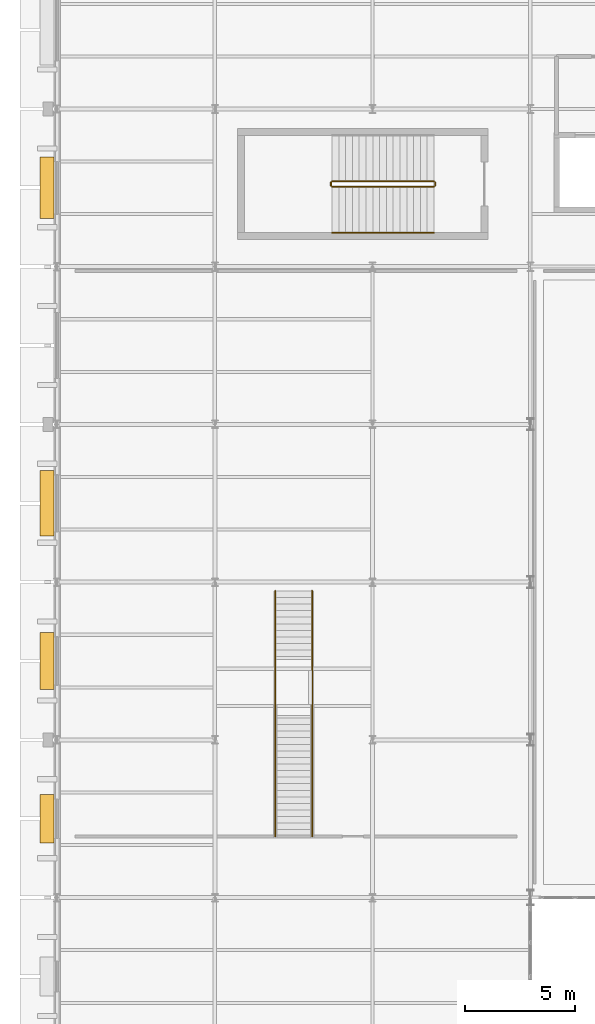
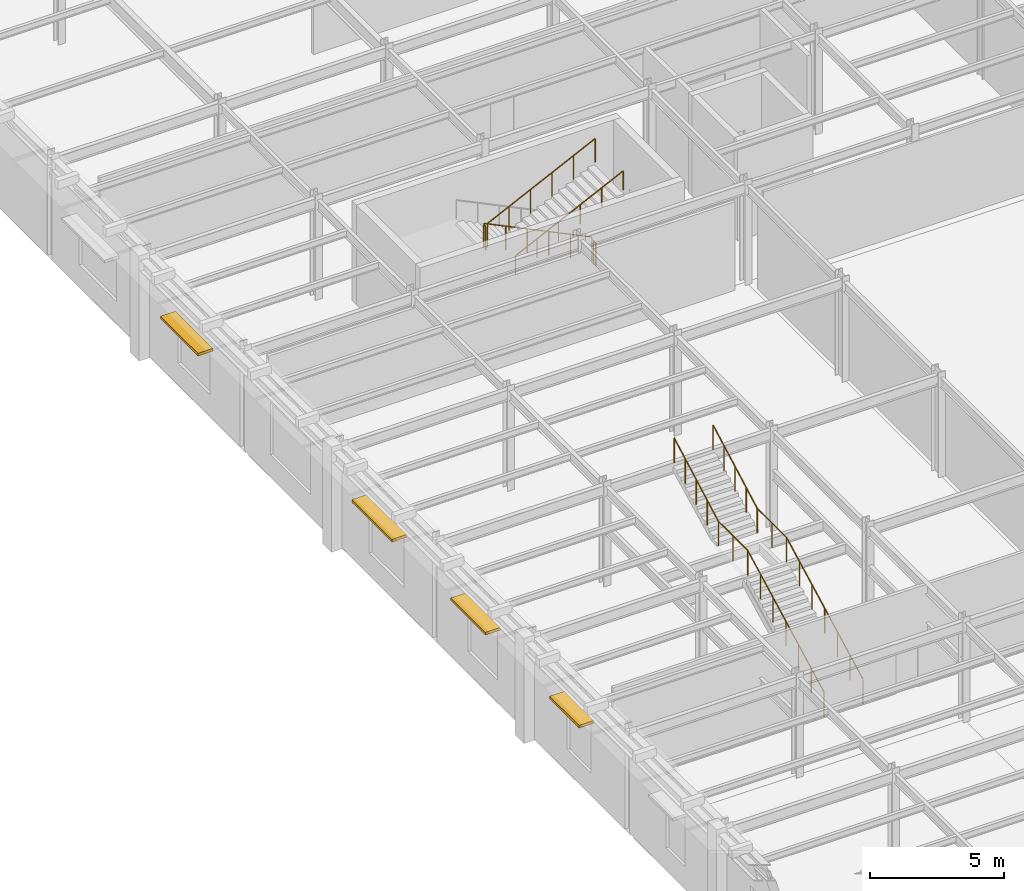
# One storey, part 122 of 126: 7 railings, 4 shading devices.
"""IFC4 building model written with IfcOpenShell, lengths in metres."""

from ifc_helpers import new_model, si_unit, direction, frame, origin, origin_2d, place, context, subcontext, project, spatial, rectangle, circle, extrude, material, type_object, element, save


model = new_model("IFC4")

# Units and contexts
model_context = context("Model", 3, precision=1e-05, world=origin(), true_north=direction((0.0, 1.0)))
body_context = subcontext(model_context, "Body", "Model", "MODEL_VIEW")
ifc_project = project(units=[si_unit("LENGTHUNIT", "METRE"), si_unit("AREAUNIT", "SQUARE_METRE"), si_unit("VOLUMEUNIT", "CUBIC_METRE"), si_unit("PLANEANGLEUNIT", "RADIAN"), si_unit("MASSUNIT", "GRAM", prefix="KILO")], contexts=[model_context])

# Site, building, storey
site_placement = place(None, origin())
site = spatial("IfcSite", under=ifc_project, at=site_placement, CompositionType="ELEMENT")
building_placement = place(site_placement, origin())
building = spatial("IfcBuilding", under=site, at=building_placement, Name="Solvadek Multi-Sports Hall", CompositionType="ELEMENT")
storey_placement = place(building_placement, frame((0.0, 0.0, 9.60009765625)))
storey = spatial("IfcBuildingStorey", under=building, at=storey_placement, Name="L02", CompositionType="ELEMENT", Elevation=9.60009765625)

# Shading devices
ifc_material_1 = material(Name="Perforated champagne-bronze anodised aluminium", Category="aluminium")
shading_device_type_1 = type_object("IfcShadingDeviceType", Name="ENV-SHD-CHAJJA1", PredefinedType="JALOUSIE", material=ifc_material_1)
shading_device_1_placement = place(storey_placement, frame((-0.469482421875, 60.0, 3.419921875), z_axis=(0.0, 0.0, 1.0), x_axis=(0.0, 1.0, 0.0)))
element("IfcShadingDevice", 1, at=shading_device_1_placement, inside=storey, type_object=shading_device_type_1, Name="L02 Chajja Solar Shading Hood #15", PredefinedType="JALOUSIE", context=body_context, shape_type="SweptSolid", body=[
    extrude(rectangle(XDim=2.60009765625, YDim=0.639892578125, at=origin_2d()), origin(), (0.0, 0.0, 1.0), 0.1201171875),
])
shading_device_2_placement = place(storey_placement, frame((-0.469482421875, 67.199951171875, 3.419921875), z_axis=(0.0, 0.0, 1.0), x_axis=(0.0, 1.0, 0.0)))
element("IfcShadingDevice", 2, at=shading_device_2_placement, inside=storey, type_object=shading_device_type_1, Name="L02 Chajja Solar Shading Hood #17", PredefinedType="JALOUSIE", context=body_context, shape_type="SweptSolid", body=[
    extrude(rectangle(XDim=3.0, YDim=0.639892578125, at=origin_2d()), origin(), (0.0, 0.0, 1.0), 0.1201171875),
])
shading_device_3_placement = place(storey_placement, frame((-0.469482421875, 81.60009765625, 3.119873046875), z_axis=(0.0, 0.0, 1.0), x_axis=(0.0, 1.0, 0.0)))
element("IfcShadingDevice", 3, at=shading_device_3_placement, inside=storey, type_object=shading_device_type_1, Name="L02 Chajja Solar Shading Hood #22", PredefinedType="JALOUSIE", context=body_context, shape_type="SweptSolid", body=[
    extrude(rectangle(XDim=2.800048828125, YDim=0.639892578125, at=origin_2d()), origin(), (0.0, 0.0, 1.0), 0.1201171875),
])
shading_device_type_2 = type_object("IfcShadingDeviceType", Name="ENV-SHD-CHAJJA2", PredefinedType="JALOUSIE", material=ifc_material_1)
shading_device_4_placement = place(storey_placement, frame((-0.469482421875, 52.800048828125, 3.419921875), z_axis=(0.0, 0.0, 1.0), x_axis=(0.0, 1.0, 0.0)))
element("IfcShadingDevice", 4, at=shading_device_4_placement, inside=storey, type_object=shading_device_type_2, Name="L02 Chajja Solar Shading Hood #12", PredefinedType="JALOUSIE", context=body_context, shape_type="SweptSolid", body=[
    extrude(rectangle(XDim=2.199951171875, YDim=0.639892578125, at=origin_2d()), origin(), (0.0, 0.0, 1.0), 0.1201171875),
])

# Railings
ifc_material_2 = material(Name="Steel E250 (250 MPa)", Category="steel")
railing_type_1 = type_object("IfcRailingType", Name="INT-RAL-GRD115", PredefinedType="BALUSTRADE", material=ifc_material_2)
railing_1_placement = place(storey_placement, frame((17.199951171875, 81.89990234375, 0.14990234375)))
element("IfcRailing", 5, at=railing_1_placement, inside=storey, type_object=railing_type_1, Name="L02 ST-02 stair guard 1", PredefinedType="BALUSTRADE", context=body_context, shape_type="SweptSolid", body=[
    extrude(circle(Radius=0.02392578125, at=origin_2d()), frame((0.0, 0.0, 1.076171875), z_axis=(-0.900155664878, 0.0, 0.435568340204), x_axis=(0.0, -1.0, 0.0)), (0.0, 0.0, 1.0), 5.165771484375),
    extrude(circle(Radius=0.02099609375, at=origin_2d()), origin(), (0.0, 0.0, 1.0), 1.052001953125),
    extrude(circle(Radius=0.02099609375, at=origin_2d()), frame((-0.929931640625, 0.0, 0.449951171875)), (0.0, 0.0, 1.0), 1.052001953125),
    extrude(circle(Radius=0.02099609375, at=origin_2d()), frame((-1.85986328125, 0.0, 0.89990234375)), (0.0, 0.0, 1.0), 1.052001953125),
    extrude(circle(Radius=0.02099609375, at=origin_2d()), frame((-2.7900390625, 0.0, 1.35009765625)), (0.0, 0.0, 1.0), 1.052001953125),
    extrude(circle(Radius=0.02099609375, at=origin_2d()), frame((-3.719970703125, 0.0, 1.800048828125)), (0.0, 0.0, 1.0), 1.052001953125),
    extrude(circle(Radius=0.02099609375, at=origin_2d()), frame((-4.64990234375, 0.0, 2.25)), (0.0, 0.0, 1.0), 1.052001953125),
])
railing_2_placement = place(storey_placement, frame((12.5, 81.85009765625, 2.39990234375)))
element("IfcRailing", 6, at=railing_2_placement, inside=storey, type_object=railing_type_1, Name="L02 ST-02 stair guard 2", PredefinedType="BALUSTRADE", context=body_context, shape_type="SweptSolid", body=[
    extrude(circle(Radius=0.02392578125, at=origin_2d()), frame((0.0, 0.0, 1.076171875), z_axis=(0.0, -1.0, 0.0), x_axis=(1.0, 0.0, 0.0)), (0.0, 0.0, 1.0), 0.150146484375),
    extrude(circle(Radius=0.02099609375, at=origin_2d()), origin(), (0.0, 0.0, 1.0), 1.052001953125),
    extrude(circle(Radius=0.02099609375, at=origin_2d()), frame((0.0, -0.150146484375, 0.0)), (0.0, 0.0, 1.0), 1.052001953125),
])
railing_3_placement = place(storey_placement, frame((12.550048828125, 81.64990234375, 2.5498046875)))
element("IfcRailing", 7, at=railing_3_placement, inside=storey, type_object=railing_type_1, Name="L02 ST-02 stair guard 3", PredefinedType="BALUSTRADE", context=body_context, shape_type="SweptSolid", body=[
    extrude(circle(Radius=0.02392578125, at=origin_2d()), frame((0.0, 0.0, 1.076171875), z_axis=(0.900155664878, 0.0, 0.435568340204), x_axis=(0.0, 1.0, 0.0)), (0.0, 0.0, 1.0), 5.165771484375),
    extrude(circle(Radius=0.02099609375, at=origin_2d()), origin(), (0.0, 0.0, 1.0), 1.052001953125),
    extrude(circle(Radius=0.02099609375, at=origin_2d()), frame((0.929931640625, 0.0, 0.449951171875)), (0.0, 0.0, 1.0), 1.052001953125),
    extrude(circle(Radius=0.02099609375, at=origin_2d()), frame((1.85986328125, 0.0, 0.89990234375)), (0.0, 0.0, 1.0), 1.052001953125),
    extrude(circle(Radius=0.02099609375, at=origin_2d()), frame((2.7900390625, 0.0, 1.35009765625)), (0.0, 0.0, 1.0), 1.052001953125),
    extrude(circle(Radius=0.02099609375, at=origin_2d()), frame((3.719970703125, 0.0, 1.800048828125)), (0.0, 0.0, 1.0), 1.052001953125),
    extrude(circle(Radius=0.02099609375, at=origin_2d()), frame((4.64990234375, 0.0, 2.25)), (0.0, 0.0, 1.0), 1.052001953125),
])
railing_4_placement = place(storey_placement, frame((17.25, 81.85009765625, 0.0)))
element("IfcRailing", 8, at=railing_4_placement, inside=storey, type_object=railing_type_1, Name="L02 ST-02 stair guard 4", PredefinedType="BALUSTRADE", context=body_context, shape_type="SweptSolid", body=[
    extrude(circle(Radius=0.02392578125, at=origin_2d()), frame((0.0, 0.0, 1.076171875), z_axis=(0.0, -1.0, 0.0), x_axis=(1.0, 0.0, 0.0)), (0.0, 0.0, 1.0), 0.150146484375),
    extrude(circle(Radius=0.02099609375, at=origin_2d()), origin(), (0.0, 0.0, 1.0), 1.052001953125),
    extrude(circle(Radius=0.02099609375, at=origin_2d()), frame((0.0, -0.150146484375, 0.0)), (0.0, 0.0, 1.0), 1.052001953125),
])
railing_5_placement = place(storey_placement, frame((11.639892578125, 52.0, 0.0)))
element("IfcRailing", 9, at=railing_5_placement, inside=storey, type_object=railing_type_1, Name="Stair ST-14 Balustrade Guard", PredefinedType="BALUSTRADE", context=body_context, shape_type="SweptSolid", body=[
    extrude(circle(Radius=0.02392578125, at=origin_2d()), frame((0.0, 0.0, 1.1259765625), z_axis=(0.0, 0.884916578004, 0.465749557138), x_axis=(-1.0, 0.0, 0.0)), (0.0, 0.0, 1.0), 6.441162109375),
    extrude(circle(Radius=0.02392578125, at=origin_2d()), frame((0.0, 5.699951171875, 4.1259765625), z_axis=(0.0, 1.0, 0.0), x_axis=(-1.0, 0.0, 0.0)), (0.0, 0.0, 1.0), 2.199951171875),
    extrude(circle(Radius=0.02392578125, at=origin_2d()), frame((0.0, 7.89990234375, 4.1259765625), z_axis=(0.0, 0.877920393143, 0.478806624122), x_axis=(-1.0, 0.0, 0.0)), (0.0, 0.0, 1.0), 3.759033203125),
    extrude(circle(Radius=0.02099609375, at=origin_2d()), origin(), (0.0, 0.0, 1.0), 1.101806640625),
    extrude(circle(Radius=0.02099609375, at=origin_2d()), frame((0.0, 0.949951171875, 0.5)), (0.0, 0.0, 1.0), 1.101806640625),
    extrude(circle(Radius=0.02099609375, at=origin_2d()), frame((0.0, 1.89990234375, 1.0)), (0.0, 0.0, 1.0), 1.101806640625),
    extrude(circle(Radius=0.02099609375, at=origin_2d()), frame((0.0, 2.85009765625, 1.5)), (0.0, 0.0, 1.0), 1.101806640625),
    extrude(circle(Radius=0.02099609375, at=origin_2d()), frame((0.0, 3.800048828125, 2.0)), (0.0, 0.0, 1.0), 1.101806640625),
    extrude(circle(Radius=0.02099609375, at=origin_2d()), frame((0.0, 4.75, 2.5)), (0.0, 0.0, 1.0), 1.101806640625),
    extrude(circle(Radius=0.02099609375, at=origin_2d()), frame((0.0, 5.699951171875, 3.0)), (0.0, 0.0, 1.0), 1.101806640625),
    extrude(circle(Radius=0.02099609375, at=origin_2d()), frame((0.0, 6.7998046875, 3.0)), (0.0, 0.0, 1.0), 1.101806640625),
    extrude(circle(Radius=0.02099609375, at=origin_2d()), frame((0.0, 7.89990234375, 3.0)), (0.0, 0.0, 1.0), 1.101806640625),
    extrude(circle(Radius=0.02099609375, at=origin_2d()), frame((0.0, 8.724853515625, 3.449951171875)), (0.0, 0.0, 1.0), 1.101806640625),
    extrude(circle(Radius=0.02099609375, at=origin_2d()), frame((0.0, 9.5498046875, 3.89990234375)), (0.0, 0.0, 1.0), 1.101806640625),
    extrude(circle(Radius=0.02099609375, at=origin_2d()), frame((0.0, 10.375, 4.349853515625)), (0.0, 0.0, 1.0), 1.101806640625),
    extrude(circle(Radius=0.02099609375, at=origin_2d()), frame((0.0, 11.199951171875, 4.7998046875)), (0.0, 0.0, 1.0), 1.101806640625),
])
railing_6_placement = place(storey_placement, frame((9.9599609375, 52.0, 0.0)))
element("IfcRailing", 10, at=railing_6_placement, inside=storey, type_object=railing_type_1, Name="Stair ST-14 Balustrade Guard", PredefinedType="BALUSTRADE", context=body_context, shape_type="SweptSolid", body=[
    extrude(circle(Radius=0.02392578125, at=origin_2d()), frame((0.0, 0.0, 1.1259765625), z_axis=(0.0, 0.884916578004, 0.465749557138), x_axis=(-1.0, 0.0, 0.0)), (0.0, 0.0, 1.0), 6.441162109375),
    extrude(circle(Radius=0.02392578125, at=origin_2d()), frame((0.0, 5.699951171875, 4.1259765625), z_axis=(0.0, 1.0, 0.0), x_axis=(-1.0, 0.0, 0.0)), (0.0, 0.0, 1.0), 2.199951171875),
    extrude(circle(Radius=0.02392578125, at=origin_2d()), frame((0.0, 7.89990234375, 4.1259765625), z_axis=(0.0, 0.877920393143, 0.478806624122), x_axis=(-1.0, 0.0, 0.0)), (0.0, 0.0, 1.0), 3.759033203125),
    extrude(circle(Radius=0.02099609375, at=origin_2d()), origin(), (0.0, 0.0, 1.0), 1.101806640625),
    extrude(circle(Radius=0.02099609375, at=origin_2d()), frame((0.0, 0.949951171875, 0.5)), (0.0, 0.0, 1.0), 1.101806640625),
    extrude(circle(Radius=0.02099609375, at=origin_2d()), frame((0.0, 1.89990234375, 1.0)), (0.0, 0.0, 1.0), 1.101806640625),
    extrude(circle(Radius=0.02099609375, at=origin_2d()), frame((0.0, 2.85009765625, 1.5)), (0.0, 0.0, 1.0), 1.101806640625),
    extrude(circle(Radius=0.02099609375, at=origin_2d()), frame((0.0, 3.800048828125, 2.0)), (0.0, 0.0, 1.0), 1.101806640625),
    extrude(circle(Radius=0.02099609375, at=origin_2d()), frame((0.0, 4.75, 2.5)), (0.0, 0.0, 1.0), 1.101806640625),
    extrude(circle(Radius=0.02099609375, at=origin_2d()), frame((0.0, 5.699951171875, 3.0)), (0.0, 0.0, 1.0), 1.101806640625),
    extrude(circle(Radius=0.02099609375, at=origin_2d()), frame((0.0, 6.7998046875, 3.0)), (0.0, 0.0, 1.0), 1.101806640625),
    extrude(circle(Radius=0.02099609375, at=origin_2d()), frame((0.0, 7.89990234375, 3.0)), (0.0, 0.0, 1.0), 1.101806640625),
    extrude(circle(Radius=0.02099609375, at=origin_2d()), frame((0.0, 8.724853515625, 3.449951171875)), (0.0, 0.0, 1.0), 1.101806640625),
    extrude(circle(Radius=0.02099609375, at=origin_2d()), frame((0.0, 9.5498046875, 3.89990234375)), (0.0, 0.0, 1.0), 1.101806640625),
    extrude(circle(Radius=0.02099609375, at=origin_2d()), frame((0.0, 10.375, 4.349853515625)), (0.0, 0.0, 1.0), 1.101806640625),
    extrude(circle(Radius=0.02099609375, at=origin_2d()), frame((0.0, 11.199951171875, 4.7998046875)), (0.0, 0.0, 1.0), 1.101806640625),
])
railing_type_2 = type_object("IfcRailingType", Name="INT-RAL-HND090", PredefinedType="HANDRAIL", material=ifc_material_2)
railing_7_placement = place(storey_placement, frame((12.550048828125, 79.550048828125, 2.5498046875)))
element("IfcRailing", 11, at=railing_7_placement, inside=storey, type_object=railing_type_2, Name="L02 ST-02 stair handrail 2", PredefinedType="HANDRAIL", context=body_context, shape_type="SweptSolid", body=[
    extrude(circle(Radius=0.02392578125, at=origin_2d()), frame((0.0, 0.0, 0.8759765625), z_axis=(0.900155664878, 0.0, 0.435568340204), x_axis=(0.0, 1.0, 0.0)), (0.0, 0.0, 1.0), 5.165771484375),
    extrude(circle(Radius=0.02099609375, at=origin_2d()), origin(), (0.0, 0.0, 1.0), 0.851806640625),
    extrude(circle(Radius=0.02099609375, at=origin_2d()), frame((0.929931640625, 0.0, 0.449951171875)), (0.0, 0.0, 1.0), 0.851806640625),
    extrude(circle(Radius=0.02099609375, at=origin_2d()), frame((1.85986328125, 0.0, 0.89990234375)), (0.0, 0.0, 1.0), 0.851806640625),
    extrude(circle(Radius=0.02099609375, at=origin_2d()), frame((2.7900390625, 0.0, 1.35009765625)), (0.0, 0.0, 1.0), 0.851806640625),
    extrude(circle(Radius=0.02099609375, at=origin_2d()), frame((3.719970703125, 0.0, 1.800048828125)), (0.0, 0.0, 1.0), 0.851806640625),
    extrude(circle(Radius=0.02099609375, at=origin_2d()), frame((4.64990234375, 0.0, 2.25)), (0.0, 0.0, 1.0), 0.851806640625),
])

save(model, "model.ifc")
